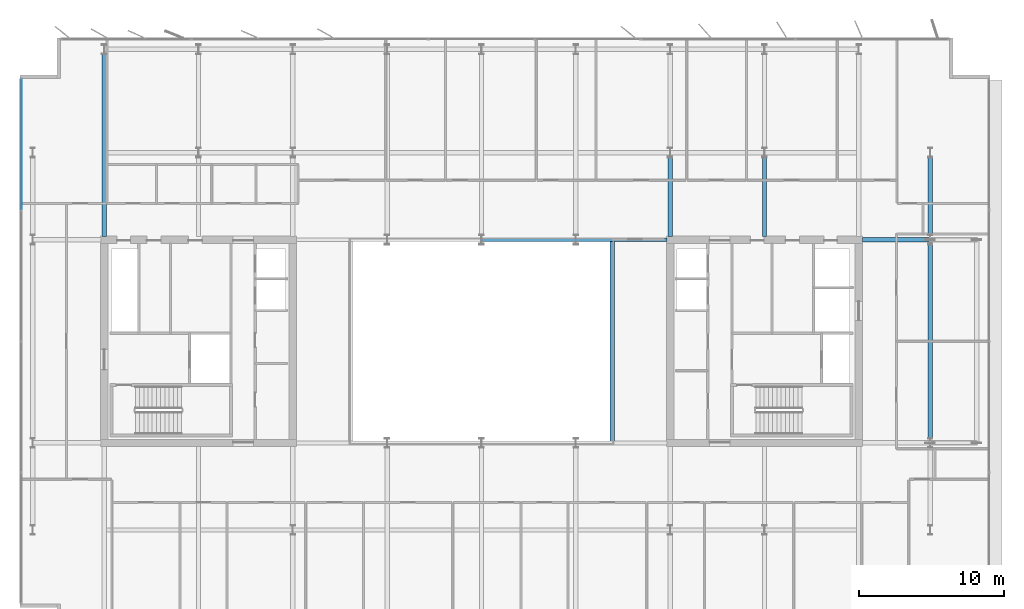
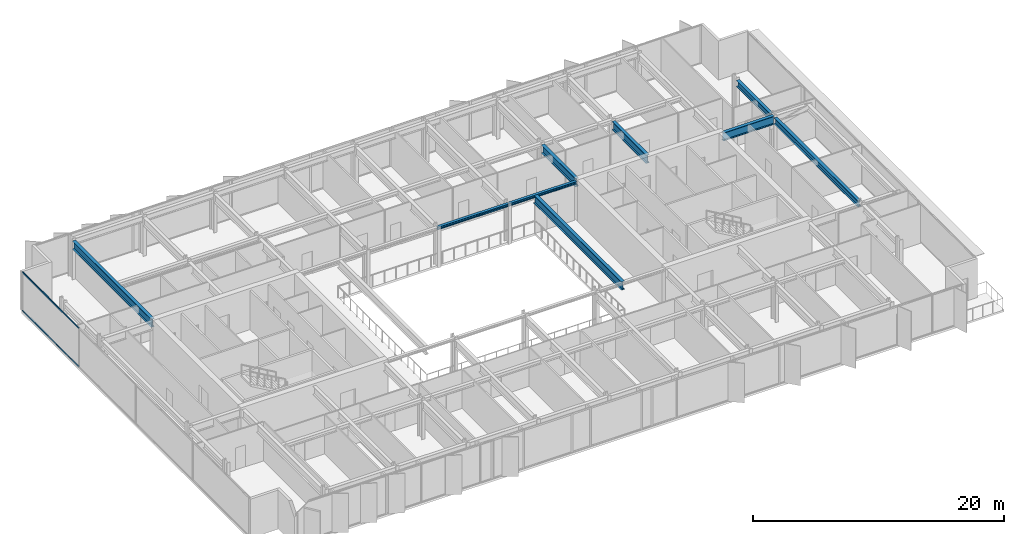
# One storey, part 7 of 20: 9 beams, 2 members, 1 element without a shape of its own.
"""IFC4 building model written with IfcOpenShell, lengths in metres."""

from ifc_helpers import new_model, si_unit, direction, frame, origin, origin_2d, place, context, subcontext, project, spatial, rectangle, i_section, extrude, material, layer, layer_set, material_profile, profile_set, type_object, element, aggregate, save


model = new_model("IFC4")

# Units and contexts
model_context = context("Model", 3, precision=1e-05, world=origin(), true_north=direction((0.0, 1.0)))
body_context = subcontext(model_context, "Body", "Model", "MODEL_VIEW")
ifc_project = project(units=[si_unit("LENGTHUNIT", "METRE"), si_unit("AREAUNIT", "SQUARE_METRE"), si_unit("VOLUMEUNIT", "CUBIC_METRE"), si_unit("PLANEANGLEUNIT", "RADIAN"), si_unit("MASSUNIT", "GRAM", prefix="KILO")], contexts=[model_context])

# Site, building, storey
site_placement = place(None, origin())
site = spatial("IfcSite", under=ifc_project, at=site_placement, CompositionType="ELEMENT")
building_placement = place(site_placement, origin())
building = spatial("IfcBuilding", under=site, at=building_placement, Name="Putna Gate Headquarters", CompositionType="ELEMENT")
storey_placement = place(building_placement, frame((0.0, 0.0, 302.39990234375)))
storey = spatial("IfcBuildingStorey", under=building, at=storey_placement, Name="L76", CompositionType="ELEMENT", Elevation=302.39990234375)

# Beams
ifc_material_1 = material(Name="Steel S355J2", Category="steel")
ifc_material_profile_1 = material_profile(ifc_material_1, i_section(OverallWidth=0.260009765625, OverallDepth=0.260009765625, WebThickness=0.010009765625, FlangeThickness=0.017578125, at=origin_2d()), Name="Steel S355J2")
ifc_profile_set_1 = profile_set([ifc_material_profile_1], Name="Steel S355J2")
beam_type_1 = type_object("IfcBeamType", Name="BM-ATRIUM-HEB260", PredefinedType="BEAM", material=ifc_profile_set_1)
beam_1_placement = place(storey_placement, frame((39.006103515625, 33.0, 3.658203125), z_axis=(1.0, 0.0, 0.0), x_axis=(0.0, 1.0, 0.0)))
element("IfcBeam", 1, at=beam_1_placement, inside=storey, type_object=beam_type_1, Name="L76 Atrium Edge Beam AN3", PredefinedType="BEAM", context=body_context, shape_type="SweptSolid", body=[
    extrude(i_section(OverallWidth=0.260009765625, OverallDepth=0.260009765625, WebThickness=0.010009765625, FlangeThickness=0.017578125, at=origin_2d()), origin(), (0.0, 0.0, 1.0), 6.48779296875),
])
beam_2_placement = place(storey_placement, frame((45.506103515625, 33.0, 3.658203125), z_axis=(1.0, 0.0, 0.0), x_axis=(0.0, 1.0, 0.0)))
element("IfcBeam", 2, at=beam_2_placement, inside=storey, type_object=beam_type_1, Name="L76 Atrium Edge Beam AN4", PredefinedType="BEAM", context=body_context, shape_type="SweptSolid", body=[
    extrude(i_section(OverallWidth=0.260009765625, OverallDepth=0.260009765625, WebThickness=0.010009765625, FlangeThickness=0.017578125, at=origin_2d()), origin(), (0.0, 0.0, 1.0), 6.2587890625),
])
ifc_material_profile_2 = material_profile(ifc_material_1, i_section(OverallWidth=0.300048828125, OverallDepth=0.800048828125, WebThickness=0.017578125, FlangeThickness=0.032958984375, at=origin_2d()), Name="Steel S355J2")
ifc_profile_set_2 = profile_set([ifc_material_profile_2], Name="Steel S355J2")
beam_type_2 = type_object("IfcBeamType", Name="BM-GIRD-P-HEB800", PredefinedType="USERDEFINED", material=ifc_profile_set_2)
beam_3_placement = place(storey_placement, frame((65.235107421875, 33.0, 3.38818359375), z_axis=(1.0, 0.0, 0.0), x_axis=(0.0, 1.0, 0.0)))
element("IfcBeam", 3, at=beam_3_placement, inside=storey, type_object=beam_type_2, Name="L76 East Wing Girder Y33", ObjectType="GIRDER", PredefinedType="USERDEFINED", context=body_context, shape_type="SweptSolid", body=[
    extrude(i_section(OverallWidth=0.300048828125, OverallDepth=0.800048828125, WebThickness=0.017578125, FlangeThickness=0.032958984375, at=origin_2d()), origin(), (0.0, 0.0, 1.0), 4.678955078125),
])
beam_4_placement = place(storey_placement, frame((13.0, 33.235107421875, 3.38818359375), z_axis=(0.0, 1.0, 0.0), x_axis=(-1.0, 0.0, 0.0)))
element("IfcBeam", 4, at=beam_4_placement, inside=storey, type_object=beam_type_2, Name="L76 North Primary Girder X13", ObjectType="GIRDER", PredefinedType="USERDEFINED", context=body_context, shape_type="SweptSolid", body=[
    extrude(i_section(OverallWidth=0.300048828125, OverallDepth=0.800048828125, WebThickness=0.017578125, FlangeThickness=0.032958984375, at=origin_2d()), origin(), (0.0, 0.0, 1.0), 12.56298828125),
])
for number, where, z_axis, x_axis, name in (
    (5, (52.0, 33.235107421875, 3.38818359375), (0.0, 1.0, 0.0), (-1.0, 0.0, 0.0), "L76 North Primary Girder X52-1"),
    (6, (58.5, 33.235107421875, 3.38818359375), (0.0, 1.0, 0.0), (-1.0, 0.0, 0.0), "L76 North Primary Girder X58-1"),
):
    element("IfcBeam", number, at=place(storey_placement, frame(where, z_axis=z_axis, x_axis=x_axis)), inside=storey, type_object=beam_type_2, Name=name, ObjectType="GIRDER", PredefinedType="USERDEFINED", context=body_context, shape_type="SweptSolid", body=[
        extrude(i_section(OverallWidth=0.300048828125, OverallDepth=0.800048828125, WebThickness=0.017578125, FlangeThickness=0.032958984375, at=origin_2d()), origin(), (0.0, 0.0, 1.0), 5.44287109375),
    ])
beam_5_placement = place(storey_placement, frame((48.0, 19.010009765625, 3.38818359375), z_axis=(0.0, 1.0, 0.0), x_axis=(-1.0, 0.0, 0.0)))
element("IfcBeam", 7, at=beam_5_placement, inside=storey, type_object=beam_type_2, Name="L76 Atrium Trim Girder AE", ObjectType="GIRDER", PredefinedType="USERDEFINED", context=body_context, shape_type="SweptSolid", body=[
    extrude(i_section(OverallWidth=0.300048828125, OverallDepth=0.800048828125, WebThickness=0.017578125, FlangeThickness=0.032958984375, at=origin_2d()), origin(), (0.0, 0.0, 1.0), 13.97998046875),
])
ifc_material_profile_3 = material_profile(ifc_material_1, i_section(OverallWidth=0.300048828125, OverallDepth=0.590087890625, WebThickness=0.012939453125, FlangeThickness=0.02490234375, at=origin_2d()), Name="Steel S355J2")
ifc_profile_set_3 = profile_set([ifc_material_profile_3], Name="Steel S355J2")
beam_type_3 = type_object("IfcBeamType", Name="BM-SPAN-Z4-HEA600", PredefinedType="SPANDREL", material=ifc_profile_set_3)
beam_6_placement = place(storey_placement, frame((69.919921875, 19.322021484375, 3.4931640625), z_axis=(0.0, 1.0, 0.0), x_axis=(-1.0, 0.0, 0.0)))
element("IfcBeam", 8, at=beam_6_placement, inside=storey, type_object=beam_type_3, Name="L76 E End Spandrel 2", PredefinedType="SPANDREL", context=body_context, shape_type="SweptSolid", body=[
    extrude(i_section(OverallWidth=0.300048828125, OverallDepth=0.590087890625, WebThickness=0.012939453125, FlangeThickness=0.02490234375, at=origin_2d()), origin(), (0.0, 0.0, 1.0), 13.35595703125),
])
beam_7_placement = place(storey_placement, frame((69.919921875, 33.322021484375, 3.4931640625), z_axis=(0.0, 1.0, 0.0), x_axis=(-1.0, 0.0, 0.0)))
element("IfcBeam", 9, at=beam_7_placement, inside=storey, type_object=beam_type_3, Name="L76 E End Spandrel 3", PredefinedType="SPANDREL", context=body_context, shape_type="SweptSolid", body=[
    extrude(i_section(OverallWidth=0.300048828125, OverallDepth=0.590087890625, WebThickness=0.012939453125, FlangeThickness=0.02490234375, at=origin_2d()), origin(), (0.0, 0.0, 1.0), 5.35595703125),
])

# Curtain wall, members
ifc_material_2 = material(Name="Anodised bronze aluminium curtain wall", Category="aluminium")
ifc_layer = layer(ifc_material_2, 0.179931640625)
ifc_layer_set = layer_set([ifc_layer], Name="Anodised bronze aluminium curtain wall")
curtain_wall_type = type_object("IfcCurtainWallType", Name="CW-SYS-Z5", PredefinedType="USERDEFINED", material=ifc_layer_set)
curtain_wall_placement = place(storey_placement, origin())
curtain_wall = element("IfcCurtainWall", 10, at=curtain_wall_placement, inside=storey, type_object=curtain_wall_type, Name="L76 West Curtain Wall", ObjectType="STICK CURTAIN WALL", PredefinedType="USERDEFINED")
ifc_material_3 = material(Name="Anodised bronze aluminium EN AW-6060", Category="aluminium")
ifc_material_profile_4 = material_profile(ifc_material_3, rectangle(XDim=0.06005859375, YDim=0.10009765625, at=origin_2d()), Name="Anodised bronze aluminium EN AW-6060")
ifc_profile_set_4 = profile_set([ifc_material_profile_4], Name="Anodised bronze aluminium EN AW-6060")
member_type = type_object("IfcMemberType", Name="TRAN-CWT-5", PredefinedType="USERDEFINED", material=ifc_profile_set_4)
member_1_placement = place(storey_placement, frame((7.280029296875, 35.0849609375, 0.030029296875), z_axis=(0.0, 1.0, 0.0), x_axis=(-1.0, 0.0, 0.0)))
member_1 = element("IfcMember", 11, at=member_1_placement, type_object=member_type, Name="CWS-5 transom 4.1", ObjectType="TRANSOM", PredefinedType="USERDEFINED", context=body_context, shape_type="SweptSolid", body=[
    extrude(rectangle(XDim=0.06005859375, YDim=0.10009765625, at=origin_2d()), origin(), (0.0, 0.0, 1.0), 8.945068359375),
])
member_2_placement = place(storey_placement, frame((7.280029296875, 35.0849609375, 3.758056640625), z_axis=(0.0, 1.0, 0.0), x_axis=(-1.0, 0.0, 0.0)))
member_2 = element("IfcMember", 12, at=member_2_placement, type_object=member_type, Name="CWS-5 transom 4.2", ObjectType="TRANSOM", PredefinedType="USERDEFINED", context=body_context, shape_type="SweptSolid", body=[
    extrude(rectangle(XDim=0.06005859375, YDim=0.10009765625, at=origin_2d()), origin(), (0.0, 0.0, 1.0), 8.945068359375),
])
aggregate(curtain_wall, [member_1, member_2])

save(model, "model.ifc")
